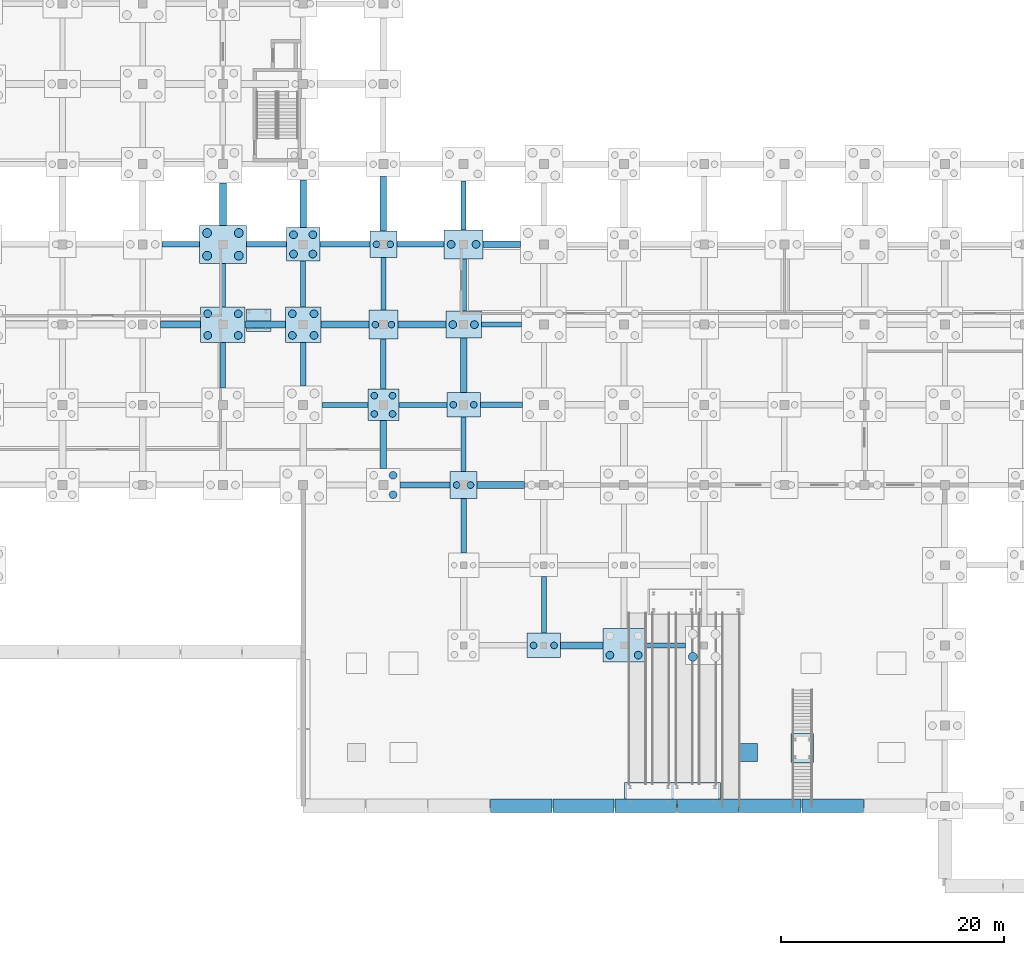
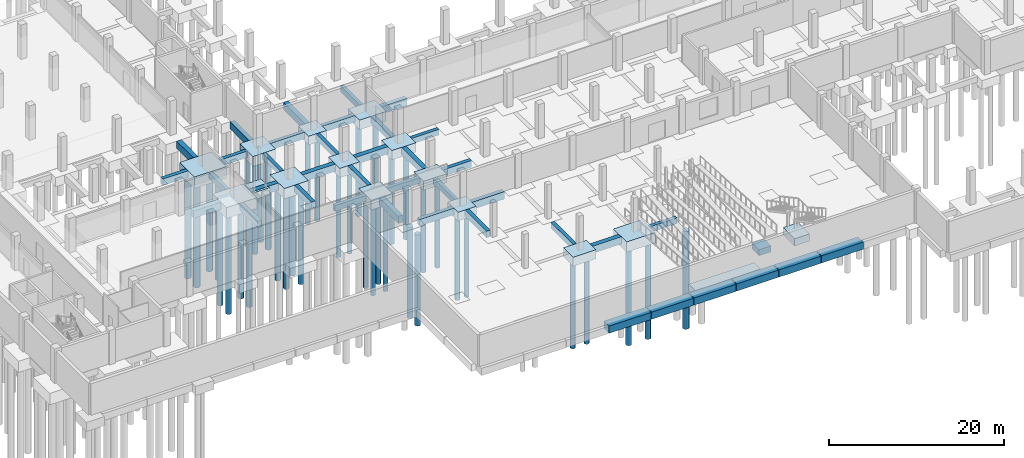
# One storey, part 3 of 38: 56 footings, 39 piles.
"""IFC4 building model written with IfcOpenShell, lengths in metres."""

from ifc_helpers import new_model, si_unit, direction, frame, origin, origin_2d, place, context, subcontext, project, spatial, rectangle, circle, extrude, material, material_profile, profile_set, type_object, element, save


model = new_model("IFC4")

# Units and contexts
model_context = context("Model", 3, precision=1e-05, world=origin(), true_north=direction((0.0, 1.0)))
body_context = subcontext(model_context, "Body", "Model", "MODEL_VIEW")
ifc_project = project(units=[si_unit("LENGTHUNIT", "METRE"), si_unit("AREAUNIT", "SQUARE_METRE"), si_unit("VOLUMEUNIT", "CUBIC_METRE"), si_unit("PLANEANGLEUNIT", "RADIAN"), si_unit("MASSUNIT", "GRAM", prefix="KILO")], contexts=[model_context])

# Site, building, storey
site_placement = place(None, origin())
site = spatial("IfcSite", under=ifc_project, at=site_placement, CompositionType="ELEMENT")
building_placement = place(site_placement, origin())
building = spatial("IfcBuilding", under=site, at=building_placement, Name="Valkovuoma Quantum and Materials Research Institute", CompositionType="ELEMENT")
storey_placement = place(building_placement, frame((0.0, 0.0, -4.800048828125)))
storey = spatial("IfcBuildingStorey", under=building, at=storey_placement, Name="B1", CompositionType="ELEMENT", Elevation=-4.800048828125)

# Footings
ifc_material_1 = material(Name="Concrete C35/45", Category="concrete")
footing_type_1 = type_object("IfcFootingType", Name="Cap-PC-03", PredefinedType="PILE_CAP", material=ifc_material_1)
for number, where, z_axis, x_axis, name in (
    (1, (50.39990234375, 57.60009765625, -1.19970703125), (0.0, 0.0, 1.0), (1.0, 0.0, 0.0), "B1 pile cap 08J"),
    (2, (57.60009765625, 36.0, -1.19970703125), (0.0, 0.0, 1.0), (1.0, 0.0, 0.0), "B1 pile cap 09F"),
):
    element("IfcFooting", number, at=place(storey_placement, frame(where, z_axis=z_axis, x_axis=x_axis)), inside=storey, type_object=footing_type_1, Name=name, PredefinedType="PILE_CAP", context=body_context, shape_type="SweptSolid", body=[
        extrude(rectangle(XDim=2.39990234375, YDim=2.39990234375, at=origin_2d()), origin(), (0.0, 0.0, 1.0), 1.199951171875),
    ])
ifc_material_2 = material(Name="Concrete C35/45", Category="concrete")
footing_type_2 = type_object("IfcFootingType", Name="Cap-PC-04", PredefinedType="PILE_CAP", material=ifc_material_2)
footing_1_placement = place(storey_placement, frame((50.39990234375, 50.39990234375, -1.2998046875), z_axis=(0.0, 0.0, 1.0), x_axis=(1.0, 0.0, 0.0)))
element("IfcFooting", 3, at=footing_1_placement, inside=storey, type_object=footing_type_2, Name="B1 pile cap 08H", PredefinedType="PILE_CAP", context=body_context, shape_type="SweptSolid", body=[
    extrude(rectangle(XDim=2.60009765625, YDim=2.60009765625, at=origin_2d()), origin(), (0.0, 0.0, 1.0), 1.300048828125),
])
ifc_material_3 = material(Name="Concrete C35/45", Category="concrete")
footing_type_3 = type_object("IfcFootingType", Name="Cap-PC-05", PredefinedType="PILE_CAP", material=ifc_material_3)
footing_2_placement = place(storey_placement, frame((50.39990234375, 43.199951171875, -1.35009765625), z_axis=(0.0, 0.0, 1.0), x_axis=(1.0, 0.0, 0.0)))
element("IfcFooting", 4, at=footing_2_placement, inside=storey, type_object=footing_type_3, Name="B1 pile cap 08G", PredefinedType="PILE_CAP", context=body_context, shape_type="SweptSolid", body=[
    extrude(rectangle(XDim=2.800048828125, YDim=2.800048828125, at=origin_2d()), origin(), (0.0, 0.0, 1.0), 1.35009765625),
])
ifc_material_4 = material(Name="Concrete C35/45", Category="concrete")
footing_type_4 = type_object("IfcFootingType", Name="Cap-PC-06", PredefinedType="PILE_CAP", material=ifc_material_4)
footing_3_placement = place(storey_placement, frame((43.199951171875, 57.60009765625, -1.39990234375), z_axis=(0.0, 0.0, 1.0), x_axis=(1.0, 0.0, 0.0)))
element("IfcFooting", 5, at=footing_3_placement, inside=storey, type_object=footing_type_4, Name="B1 pile cap 07J", PredefinedType="PILE_CAP", context=body_context, shape_type="SweptSolid", body=[
    extrude(rectangle(XDim=3.0, YDim=3.0, at=origin_2d()), origin(), (0.0, 0.0, 1.0), 1.39990234375),
])
ifc_material_5 = material(Name="Concrete C35/45", Category="concrete")
footing_type_5 = type_object("IfcFootingType", Name="Cap-PC-07", PredefinedType="PILE_CAP", material=ifc_material_5)
footing_4_placement = place(storey_placement, frame((43.199951171875, 50.39990234375, -1.44970703125), z_axis=(0.0, 0.0, 1.0), x_axis=(1.0, 0.0, 0.0)))
element("IfcFooting", 6, at=footing_4_placement, inside=storey, type_object=footing_type_5, Name="B1 pile cap 07H", PredefinedType="PILE_CAP", context=body_context, shape_type="SweptSolid", body=[
    extrude(rectangle(XDim=3.199951171875, YDim=3.199951171875, at=origin_2d()), origin(), (0.0, 0.0, 1.0), 1.449951171875),
])
ifc_material_6 = material(Name="Concrete C35/45", Category="concrete")
footing_type_6 = type_object("IfcFootingType", Name="Cap-PC-11", PredefinedType="PILE_CAP", material=ifc_material_6)
for number, where, z_axis, x_axis, name in (
    (7, (57.60009765625, 43.199951171875, -1.25), (0.0, 0.0, 1.0), (1.0, 0.0, 0.0), "B1 pile cap 09G"),
    (8, (64.800048828125, 21.60009765625, -1.25), (0.0, 0.0, 1.0), (1.0, 0.0, 0.0), "B1 pile cap 10D"),
):
    element("IfcFooting", number, at=place(storey_placement, frame(where, z_axis=z_axis, x_axis=x_axis)), inside=storey, type_object=footing_type_6, Name=name, PredefinedType="PILE_CAP", context=body_context, shape_type="SweptSolid", body=[
        extrude(rectangle(XDim=3.0, YDim=2.199951171875, at=origin_2d()), origin(), (0.0, 0.0, 1.0), 1.25),
    ])
ifc_material_7 = material(Name="Concrete C35/45", Category="concrete")
footing_type_7 = type_object("IfcFootingType", Name="Cap-PC-12", PredefinedType="PILE_CAP", material=ifc_material_7)
footing_5_placement = place(storey_placement, frame((57.60009765625, 50.39990234375, -1.2998046875), z_axis=(0.0, 0.0, 1.0), x_axis=(1.0, 0.0, 0.0)))
element("IfcFooting", 9, at=footing_5_placement, inside=storey, type_object=footing_type_7, Name="B1 pile cap 09H", PredefinedType="PILE_CAP", context=body_context, shape_type="SweptSolid", body=[
    extrude(rectangle(XDim=3.199951171875, YDim=2.39990234375, at=origin_2d()), origin(), (0.0, 0.0, 1.0), 1.300048828125),
])
ifc_material_8 = material(Name="Concrete C35/45", Category="concrete")
footing_type_8 = type_object("IfcFootingType", Name="Cap-PC-13", PredefinedType="PILE_CAP", material=ifc_material_8)
footing_6_placement = place(storey_placement, frame((57.60009765625, 57.60009765625, -1.35009765625), z_axis=(0.0, 0.0, 1.0), x_axis=(1.0, 0.0, 0.0)))
element("IfcFooting", 10, at=footing_6_placement, inside=storey, type_object=footing_type_8, Name="B1 pile cap 09J", PredefinedType="PILE_CAP", context=body_context, shape_type="SweptSolid", body=[
    extrude(rectangle(XDim=3.5, YDim=2.60009765625, at=origin_2d()), origin(), (0.0, 0.0, 1.0), 1.35009765625),
])
ifc_material_9 = material(Name="Concrete C35/45", Category="concrete")
footing_type_9 = type_object("IfcFootingType", Name="Cap-PC-14", PredefinedType="PILE_CAP", material=ifc_material_9)
footing_7_placement = place(storey_placement, frame((72.0, 21.60009765625, -1.44970703125), z_axis=(0.0, 0.0, 1.0), x_axis=(1.0, 0.0, 0.0)))
element("IfcFooting", 11, at=footing_7_placement, inside=storey, type_object=footing_type_9, Name="B1 pile cap 11D", PredefinedType="PILE_CAP", context=body_context, shape_type="SweptSolid", body=[
    extrude(rectangle(XDim=3.800048828125, YDim=3.0, at=origin_2d()), origin(), (0.0, 0.0, 1.0), 1.449951171875),
])
ifc_material_10 = material(Name="Concrete C35/45", Category="concrete")
footing_type_10 = type_object("IfcFootingType", Name="Cap-PC-15", PredefinedType="PILE_CAP", material=ifc_material_10)
footing_8_placement = place(storey_placement, frame((36.0, 50.39990234375, -1.5), z_axis=(0.0, 0.0, 1.0), x_axis=(1.0, 0.0, 0.0)))
element("IfcFooting", 12, at=footing_8_placement, inside=storey, type_object=footing_type_10, Name="B1 pile cap 06H", PredefinedType="PILE_CAP", context=body_context, shape_type="SweptSolid", body=[
    extrude(rectangle(XDim=4.0, YDim=3.199951171875, at=origin_2d()), origin(), (0.0, 0.0, 1.0), 1.5),
])
ifc_material_11 = material(Name="Concrete C35/45", Category="concrete")
footing_type_11 = type_object("IfcFootingType", Name="Cap-PC-16", PredefinedType="PILE_CAP", material=ifc_material_11)
footing_9_placement = place(storey_placement, frame((36.0, 57.60009765625, -1.60009765625), z_axis=(0.0, 0.0, 1.0), x_axis=(1.0, 0.0, 0.0)))
element("IfcFooting", 13, at=footing_9_placement, inside=storey, type_object=footing_type_11, Name="B1 pile cap 06J", PredefinedType="PILE_CAP", context=body_context, shape_type="SweptSolid", body=[
    extrude(rectangle(XDim=4.199951171875, YDim=3.39990234375, at=origin_2d()), origin(), (0.0, 0.0, 1.0), 1.60009765625),
])
ifc_material_12 = material(Name="Concrete C35/45", Category="concrete")
footing_type_12 = type_object("IfcFootingType", Name="GndBeam-FB-01", PredefinedType="FOOTING_BEAM", material=ifc_material_12)
footing_10_placement = place(storey_placement, frame((36.0, 53.949951171875, -0.7998046875), z_axis=(0.0, 0.0, 1.0), x_axis=(0.0, 1.0, 0.0)))
element("IfcFooting", 14, at=footing_10_placement, inside=storey, type_object=footing_type_12, Name="B1 ground tie beam Y-108", PredefinedType="FOOTING_BEAM", context=body_context, shape_type="SweptSolid", body=[
    extrude(rectangle(XDim=3.89990234375, YDim=0.449951171875, at=origin_2d()), origin(), (0.0, 0.0, 1.0), 0.800048828125),
])
for number, where, z_axis, x_axis, name in (
    (15, (46.949951171875, 43.199951171875, -0.7998046875), (0.0, 0.0, 1.0), (1.0, 0.0, 0.0), "B1 ground tie beam X-126"),
    (16, (43.199951171875, 54.050048828125, -0.7998046875), (0.0, 0.0, 1.0), (0.0, 1.0, 0.0), "B1 ground tie beam Y-129"),
):
    element("IfcFooting", number, at=place(storey_placement, frame(where, z_axis=z_axis, x_axis=x_axis)), inside=storey, type_object=footing_type_12, Name=name, PredefinedType="FOOTING_BEAM", context=body_context, shape_type="SweptSolid", body=[
        extrude(rectangle(XDim=4.10009765625, YDim=0.449951171875, at=origin_2d()), origin(), (0.0, 0.0, 1.0), 0.800048828125),
    ])
footing_11_placement = place(storey_placement, frame((53.949951171875, 43.199951171875, -0.7998046875), z_axis=(0.0, 0.0, 1.0), x_axis=(1.0, 0.0, 0.0)))
element("IfcFooting", 17, at=footing_11_placement, inside=storey, type_object=footing_type_12, Name="B1 ground tie beam X-147", PredefinedType="FOOTING_BEAM", context=body_context, shape_type="SweptSolid", body=[
    extrude(rectangle(XDim=4.300048828125, YDim=0.449951171875, at=origin_2d()), origin(), (0.0, 0.0, 1.0), 0.800048828125),
])
footing_12_placement = place(storey_placement, frame((50.39990234375, 54.050048828125, -0.7998046875), z_axis=(0.0, 0.0, 1.0), x_axis=(0.0, 1.0, 0.0)))
element("IfcFooting", 18, at=footing_12_placement, inside=storey, type_object=footing_type_12, Name="B1 ground tie beam Y-150", PredefinedType="FOOTING_BEAM", context=body_context, shape_type="SweptSolid", body=[
    extrude(rectangle(XDim=4.699951171875, YDim=0.449951171875, at=origin_2d()), origin(), (0.0, 0.0, 1.0), 0.800048828125),
])
footing_13_placement = place(storey_placement, frame((57.60009765625, 39.64990234375, -0.7998046875), z_axis=(0.0, 0.0, 1.0), x_axis=(0.0, 1.0, 0.0)))
element("IfcFooting", 19, at=footing_13_placement, inside=storey, type_object=footing_type_12, Name="B1 ground tie beam Y-165", PredefinedType="FOOTING_BEAM", context=body_context, shape_type="SweptSolid", body=[
    extrude(rectangle(XDim=4.89990234375, YDim=0.449951171875, at=origin_2d()), origin(), (0.0, 0.0, 1.0), 0.800048828125),
])
footing_14_placement = place(storey_placement, frame((61.0, 50.39990234375, -0.7998046875), z_axis=(0.0, 0.0, 1.0), x_axis=(1.0, 0.0, 0.0)))
element("IfcFooting", 20, at=footing_14_placement, inside=storey, type_object=footing_type_12, Name="B1 ground tie beam X-168", PredefinedType="FOOTING_BEAM", context=body_context, shape_type="SweptSolid", body=[
    extrude(rectangle(XDim=3.60009765625, YDim=0.449951171875, at=origin_2d()), origin(), (0.0, 0.0, 1.0), 0.800048828125),
])
footing_15_placement = place(storey_placement, frame((57.60009765625, 61.10009765625, -0.7998046875), z_axis=(0.0, 0.0, 1.0), x_axis=(0.0, 1.0, 0.0)))
element("IfcFooting", 21, at=footing_15_placement, inside=storey, type_object=footing_type_12, Name="B1 ground tie beam Y-171", PredefinedType="FOOTING_BEAM", context=body_context, shape_type="SweptSolid", body=[
    extrude(rectangle(XDim=4.39990234375, YDim=0.449951171875, at=origin_2d()), origin(), (0.0, 0.0, 1.0), 0.800048828125),
])
footing_16_placement = place(storey_placement, frame((64.800048828125, 25.25, -0.7998046875), z_axis=(0.0, 0.0, 1.0), x_axis=(0.0, 1.0, 0.0)))
element("IfcFooting", 22, at=footing_16_placement, inside=storey, type_object=footing_type_12, Name="B1 ground tie beam Y-174", PredefinedType="FOOTING_BEAM", context=body_context, shape_type="SweptSolid", body=[
    extrude(rectangle(XDim=5.10009765625, YDim=0.449951171875, at=origin_2d()), origin(), (0.0, 0.0, 1.0), 0.800048828125),
])
footing_17_placement = place(storey_placement, frame((75.699951171875, 21.60009765625, -0.7998046875), z_axis=(0.0, 0.0, 1.0), x_axis=(1.0, 0.0, 0.0)))
element("IfcFooting", 23, at=footing_17_placement, inside=storey, type_object=footing_type_12, Name="B1 ground tie beam X-186", PredefinedType="FOOTING_BEAM", context=body_context, shape_type="SweptSolid", body=[
    extrude(rectangle(XDim=3.60009765625, YDim=0.449951171875, at=origin_2d()), origin(), (0.0, 0.0, 1.0), 0.800048828125),
])
ifc_material_13 = material(Name="Concrete C35/45", Category="concrete")
footing_type_13 = type_object("IfcFootingType", Name="GndBeam-FB-02", PredefinedType="FOOTING_BEAM", material=ifc_material_13)
footing_18_placement = place(storey_placement, frame((32.22509765625, 57.60009765625, -0.89990234375), z_axis=(0.0, 0.0, 1.0), x_axis=(1.0, 0.0, 0.0)))
element("IfcFooting", 24, at=footing_18_placement, inside=storey, type_object=footing_type_13, Name="B1 ground tie beam X-088", PredefinedType="FOOTING_BEAM", context=body_context, shape_type="SweptSolid", body=[
    extrude(rectangle(XDim=3.35009765625, YDim=0.5, at=origin_2d()), origin(), (0.0, 0.0, 1.0), 0.89990234375),
])
footing_19_placement = place(storey_placement, frame((36.0, 46.75, -0.89990234375), z_axis=(0.0, 0.0, 1.0), x_axis=(0.0, 1.0, 0.0)))
element("IfcFooting", 25, at=footing_19_placement, inside=storey, type_object=footing_type_13, Name="B1 ground tie beam Y-106", PredefinedType="FOOTING_BEAM", context=body_context, shape_type="SweptSolid", body=[
    extrude(rectangle(XDim=4.10009765625, YDim=0.5, at=origin_2d()), origin(), (0.0, 0.0, 1.0), 0.89990234375),
])
footing_20_placement = place(storey_placement, frame((39.89990234375, 57.60009765625, -0.89990234375), z_axis=(0.0, 0.0, 1.0), x_axis=(1.0, 0.0, 0.0)))
element("IfcFooting", 26, at=footing_20_placement, inside=storey, type_object=footing_type_13, Name="B1 ground tie beam X-109", PredefinedType="FOOTING_BEAM", context=body_context, shape_type="SweptSolid", body=[
    extrude(rectangle(XDim=3.60009765625, YDim=0.5, at=origin_2d()), origin(), (0.0, 0.0, 1.0), 0.89990234375),
])
footing_21_placement = place(storey_placement, frame((43.199951171875, 46.85009765625, -0.89990234375), z_axis=(0.0, 0.0, 1.0), x_axis=(0.0, 1.0, 0.0)))
element("IfcFooting", 27, at=footing_21_placement, inside=storey, type_object=footing_type_13, Name="B1 ground tie beam Y-127", PredefinedType="FOOTING_BEAM", context=body_context, shape_type="SweptSolid", body=[
    extrude(rectangle(XDim=3.89990234375, YDim=0.5, at=origin_2d()), origin(), (0.0, 0.0, 1.0), 0.89990234375),
])
for number, where, z_axis, x_axis, name in (
    (28, (46.949951171875, 57.60009765625, -0.89990234375), (0.0, 0.0, 1.0), (1.0, 0.0, 0.0), "B1 ground tie beam X-130"),
    (29, (54.14990234375, 36.0, -0.89990234375), (0.0, 0.0, 1.0), (1.0, 0.0, 0.0), "B1 ground tie beam X-145"),
    (30, (50.39990234375, 46.85009765625, -0.89990234375), (0.0, 0.0, 1.0), (0.0, 1.0, 0.0), "B1 ground tie beam Y-148"),
):
    element("IfcFooting", number, at=place(storey_placement, frame(where, z_axis=z_axis, x_axis=x_axis)), inside=storey, type_object=footing_type_13, Name=name, PredefinedType="FOOTING_BEAM", context=body_context, shape_type="SweptSolid", body=[
        extrude(rectangle(XDim=4.5, YDim=0.5, at=origin_2d()), origin(), (0.0, 0.0, 1.0), 0.89990234375),
    ])
footing_22_placement = place(storey_placement, frame((53.72509765625, 57.60009765625, -0.89990234375), z_axis=(0.0, 0.0, 1.0), x_axis=(1.0, 0.0, 0.0)))
element("IfcFooting", 31, at=footing_22_placement, inside=storey, type_object=footing_type_13, Name="B1 ground tie beam X-151", PredefinedType="FOOTING_BEAM", context=body_context, shape_type="SweptSolid", body=[
    extrude(rectangle(XDim=4.25, YDim=0.5, at=origin_2d()), origin(), (0.0, 0.0, 1.0), 0.89990234375),
])
footing_23_placement = place(storey_placement, frame((57.60009765625, 32.35009765625, -0.89990234375), z_axis=(0.0, 0.0, 1.0), x_axis=(0.0, 1.0, 0.0)))
element("IfcFooting", 32, at=footing_23_placement, inside=storey, type_object=footing_type_13, Name="B1 ground tie beam Y-163", PredefinedType="FOOTING_BEAM", context=body_context, shape_type="SweptSolid", body=[
    extrude(rectangle(XDim=4.89990234375, YDim=0.5, at=origin_2d()), origin(), (0.0, 0.0, 1.0), 0.89990234375),
])
footing_24_placement = place(storey_placement, frame((61.0, 43.199951171875, -0.89990234375), z_axis=(0.0, 0.0, 1.0), x_axis=(1.0, 0.0, 0.0)))
element("IfcFooting", 33, at=footing_24_placement, inside=storey, type_object=footing_type_13, Name="B1 ground tie beam X-166", PredefinedType="FOOTING_BEAM", context=body_context, shape_type="SweptSolid", body=[
    extrude(rectangle(XDim=3.800048828125, YDim=0.5, at=origin_2d()), origin(), (0.0, 0.0, 1.0), 0.89990234375),
])
footing_25_placement = place(storey_placement, frame((57.60009765625, 53.949951171875, -0.89990234375), z_axis=(0.0, 0.0, 1.0), x_axis=(0.0, 1.0, 0.0)))
element("IfcFooting", 34, at=footing_25_placement, inside=storey, type_object=footing_type_13, Name="B1 ground tie beam Y-169", PredefinedType="FOOTING_BEAM", context=body_context, shape_type="SweptSolid", body=[
    extrude(rectangle(XDim=4.699951171875, YDim=0.5, at=origin_2d()), origin(), (0.0, 0.0, 1.0), 0.89990234375),
])
ifc_material_14 = material(Name="Concrete C35/45", Category="concrete")
footing_type_14 = type_object("IfcFootingType", Name="GndBeam-FB-03", PredefinedType="FOOTING_BEAM", material=ifc_material_14)
for number, where, z_axis, x_axis, name in (
    (35, (32.199951171875, 50.39990234375, -1.0), (0.0, 0.0, 1.0), (1.0, 0.0, 0.0), "B1 ground tie beam X-086"),
    (36, (39.800048828125, 50.39990234375, -1.0), (0.0, 0.0, 1.0), (1.0, 0.0, 0.0), "B1 ground tie beam X-107"),
):
    element("IfcFooting", number, at=place(storey_placement, frame(where, z_axis=z_axis, x_axis=x_axis)), inside=storey, type_object=footing_type_14, Name=name, PredefinedType="FOOTING_BEAM", context=body_context, shape_type="SweptSolid", body=[
        extrude(rectangle(XDim=3.60009765625, YDim=0.60009765625, at=origin_2d()), origin(), (0.0, 0.0, 1.0), 1.0),
    ])
footing_26_placement = place(storey_placement, frame((36.0, 61.199951171875, -1.0), z_axis=(0.0, 0.0, 1.0), x_axis=(0.0, 1.0, 0.0)))
element("IfcFooting", 37, at=footing_26_placement, inside=storey, type_object=footing_type_14, Name="B1 ground tie beam Y-110", PredefinedType="FOOTING_BEAM", context=body_context, shape_type="SweptSolid", body=[
    extrude(rectangle(XDim=3.800048828125, YDim=0.60009765625, at=origin_2d()), origin(), (0.0, 0.0, 1.0), 1.0),
])
for number, where, z_axis, x_axis, name in (
    (38, (46.949951171875, 50.39990234375, -1.0), (0.0, 0.0, 1.0), (1.0, 0.0, 0.0), "B1 ground tie beam X-128"),
    (39, (43.199951171875, 61.25, -1.0), (0.0, 0.0, 1.0), (0.0, 1.0, 0.0), "B1 ground tie beam Y-131"),
    (40, (50.39990234375, 39.64990234375, -1.0), (0.0, 0.0, 1.0), (0.0, 1.0, 0.0), "B1 ground tie beam Y-146"),
    (41, (53.85009765625, 50.39990234375, -1.0), (0.0, 0.0, 1.0), (1.0, 0.0, 0.0), "B1 ground tie beam X-149"),
):
    element("IfcFooting", number, at=place(storey_placement, frame(where, z_axis=z_axis, x_axis=x_axis)), inside=storey, type_object=footing_type_14, Name=name, PredefinedType="FOOTING_BEAM", context=body_context, shape_type="SweptSolid", body=[
        extrude(rectangle(XDim=4.300048828125, YDim=0.60009765625, at=origin_2d()), origin(), (0.0, 0.0, 1.0), 1.0),
    ])
footing_27_placement = place(storey_placement, frame((50.39990234375, 61.25, -1.0), z_axis=(0.0, 0.0, 1.0), x_axis=(0.0, 1.0, 0.0)))
element("IfcFooting", 42, at=footing_27_placement, inside=storey, type_object=footing_type_14, Name="B1 ground tie beam Y-152", PredefinedType="FOOTING_BEAM", context=body_context, shape_type="SweptSolid", body=[
    extrude(rectangle(XDim=4.89990234375, YDim=0.60009765625, at=origin_2d()), origin(), (0.0, 0.0, 1.0), 1.0),
])
footing_28_placement = place(storey_placement, frame((60.925048828125, 36.0, -1.0), z_axis=(0.0, 0.0, 1.0), x_axis=(1.0, 0.0, 0.0)))
element("IfcFooting", 43, at=footing_28_placement, inside=storey, type_object=footing_type_14, Name="B1 ground tie beam X-164", PredefinedType="FOOTING_BEAM", context=body_context, shape_type="SweptSolid", body=[
    extrude(rectangle(XDim=4.25, YDim=0.60009765625, at=origin_2d()), origin(), (0.0, 0.0, 1.0), 1.0),
])
footing_29_placement = place(storey_placement, frame((57.60009765625, 46.75, -1.0), z_axis=(0.0, 0.0, 1.0), x_axis=(0.0, 1.0, 0.0)))
element("IfcFooting", 44, at=footing_29_placement, inside=storey, type_object=footing_type_14, Name="B1 ground tie beam Y-167", PredefinedType="FOOTING_BEAM", context=body_context, shape_type="SweptSolid", body=[
    extrude(rectangle(XDim=4.89990234375, YDim=0.60009765625, at=origin_2d()), origin(), (0.0, 0.0, 1.0), 1.0),
])
footing_30_placement = place(storey_placement, frame((61.02490234375, 57.60009765625, -1.0), z_axis=(0.0, 0.0, 1.0), x_axis=(1.0, 0.0, 0.0)))
element("IfcFooting", 45, at=footing_30_placement, inside=storey, type_object=footing_type_14, Name="B1 ground tie beam X-170", PredefinedType="FOOTING_BEAM", context=body_context, shape_type="SweptSolid", body=[
    extrude(rectangle(XDim=3.35009765625, YDim=0.60009765625, at=origin_2d()), origin(), (0.0, 0.0, 1.0), 1.0),
])
footing_31_placement = place(storey_placement, frame((68.199951171875, 21.60009765625, -1.0), z_axis=(0.0, 0.0, 1.0), x_axis=(1.0, 0.0, 0.0)))
element("IfcFooting", 46, at=footing_31_placement, inside=storey, type_object=footing_type_14, Name="B1 ground tie beam X-173", PredefinedType="FOOTING_BEAM", context=body_context, shape_type="SweptSolid", body=[
    extrude(rectangle(XDim=3.800048828125, YDim=0.60009765625, at=origin_2d()), origin(), (0.0, 0.0, 1.0), 1.0),
])
footing_32_placement = place(storey_placement, frame((76.35009765625, 8.25, -0.89990234375), z_axis=(0.0, 0.0, 1.0), x_axis=(1.0, 0.0, 0.0)))
element("IfcFooting", 47, at=footing_32_placement, inside=storey, type_object=footing_type_14, Name="B1 south ramp landing combined strip footing", PredefinedType="FOOTING_BEAM", context=body_context, shape_type="SweptSolid", body=[
    extrude(rectangle(XDim=8.60009765625, YDim=2.10009765625, at=origin_2d()), origin(), (0.0, 0.0, 1.0), 0.89990234375),
])
ifc_material_15 = material(Name="Concrete C35/45", Category="concrete")
footing_type_15 = type_object("IfcFootingType", Name="Pad-PF-01", PredefinedType="PAD_FOOTING", material=ifc_material_15)
footing_33_placement = place(storey_placement, frame((83.199951171875, 12.0, -0.85009765625), z_axis=(0.0, 0.0, 1.0), x_axis=(1.0, 0.0, 0.0)))
element("IfcFooting", 48, at=footing_33_placement, inside=storey, type_object=footing_type_15, Name="B1 pad footing 05", PredefinedType="PAD_FOOTING", context=body_context, shape_type="SweptSolid", body=[
    extrude(rectangle(XDim=1.60009765625, YDim=1.60009765625, at=origin_2d()), origin(), (0.0, 0.0, 1.0), 0.85009765625),
])
ifc_material_16 = material(Name="Concrete C35/45", Category="concrete")
footing_type_16 = type_object("IfcFootingType", Name="Pad-PF-04", PredefinedType="PAD_FOOTING", material=ifc_material_16)
footing_34_placement = place(storey_placement, frame((39.199951171875, 50.800048828125, -1.0), z_axis=(0.0, 0.0, 1.0), x_axis=(1.0, 0.0, 0.0)))
element("IfcFooting", 49, at=footing_34_placement, inside=storey, type_object=footing_type_16, Name="B1 atrium stair combined pad footing", PredefinedType="PAD_FOOTING", context=body_context, shape_type="SweptSolid", body=[
    extrude(rectangle(XDim=2.199951171875, YDim=2.0, at=origin_2d()), origin(), (0.0, 0.0, 1.0), 1.0),
])
for number, where, z_axis, x_axis, name in (
    (50, (62.77197265625, 7.199951171875, -1.0), (0.0, 0.0, 1.0), (1.0, 0.0, 0.0), "B1 retaining wall pad footing 055"),
    (51, (68.364013671875, 7.199951171875, -1.0), (0.0, 0.0, 1.0), (1.0, 0.0, 0.0), "B1 retaining wall pad footing 056"),
    (52, (73.9560546875, 7.199951171875, -1.0), (0.0, 0.0, 1.0), (1.0, 0.0, 0.0), "B1 retaining wall pad footing 057"),
    (53, (79.548095703125, 7.199951171875, -1.0), (0.0, 0.0, 1.0), (1.0, 0.0, 0.0), "B1 retaining wall pad footing 058"),
    (54, (85.139892578125, 7.199951171875, -1.0), (0.0, 0.0, 1.0), (1.0, 0.0, 0.0), "B1 retaining wall pad footing 059"),
    (55, (90.73193359375, 7.199951171875, -1.0), (0.0, 0.0, 1.0), (1.0, 0.0, 0.0), "B1 retaining wall pad footing 060"),
):
    element("IfcFooting", number, at=place(storey_placement, frame(where, z_axis=z_axis, x_axis=x_axis)), inside=storey, type_object=footing_type_16, Name=name, PredefinedType="PAD_FOOTING", context=body_context, shape_type="SweptSolid", body=[
        extrude(rectangle(XDim=5.511962890625, YDim=1.199951171875, at=origin_2d()), origin(), (0.0, 0.0, 1.0), 1.0),
    ])
footing_35_placement = place(storey_placement, frame((88.0, 12.375, -1.0), z_axis=(0.0, 0.0, 1.0), x_axis=(0.0, 1.0, 0.0)))
element("IfcFooting", 56, at=footing_35_placement, inside=storey, type_object=footing_type_16, Name="B1 forecourt stair combined pad footing", PredefinedType="PAD_FOOTING", context=body_context, shape_type="SweptSolid", body=[
    extrude(rectangle(XDim=2.60009765625, YDim=2.0, at=origin_2d()), origin(), (0.0, 0.0, 1.0), 1.0),
])

# Piles
ifc_material_17 = material(Name="Concrete C40/50", Category="concrete")
ifc_material_profile_1 = material_profile(ifc_material_17, circle(Radius=0.300048828125, at=origin_2d()), Name="Concrete C40/50")
ifc_profile_set_1 = profile_set([ifc_material_profile_1], Name="Concrete C40/50")
pile_type_1 = type_object("IfcPileType", Name="Pile-PL-B600", PredefinedType="BORED", material=ifc_profile_set_1)
for number, where, z_axis, x_axis, name in (
    (57, (49.580078125, 42.3798828125, -1.25), (0.0, 0.0, -1.0), (1.0, 0.0, 0.0), "B1 pile 08G-1"),
    (58, (51.219970703125, 42.3798828125, -1.25), (0.0, 0.0, -1.0), (1.0, 0.0, 0.0), "B1 pile 08G-2"),
    (59, (49.580078125, 44.02001953125, -1.25), (0.0, 0.0, -1.0), (1.0, 0.0, 0.0), "B1 pile 08G-3"),
    (60, (51.219970703125, 44.02001953125, -1.25), (0.0, 0.0, -1.0), (1.0, 0.0, 0.0), "B1 pile 08G-4"),
):
    element("IfcPile", number, at=place(storey_placement, frame(where, z_axis=z_axis, x_axis=x_axis)), inside=storey, type_object=pile_type_1, Name=name, PredefinedType="BORED", context=body_context, shape_type="SweptSolid", body=[
        extrude(circle(Radius=0.300048828125, at=origin_2d()), origin(), (0.0, 0.0, 1.0), 12.35009765625),
    ])
for number, where, z_axis, x_axis, name in (
    (61, (49.679931640625, 50.39990234375, -1.199951171875), (0.0, 0.0, -1.0), (1.0, 0.0, 0.0), "B1 pile 08H-1"),
    (62, (51.1201171875, 50.39990234375, -1.199951171875), (0.0, 0.0, -1.0), (1.0, 0.0, 0.0), "B1 pile 08H-2"),
):
    element("IfcPile", number, at=place(storey_placement, frame(where, z_axis=z_axis, x_axis=x_axis)), inside=storey, type_object=pile_type_1, Name=name, PredefinedType="BORED", context=body_context, shape_type="SweptSolid", body=[
        extrude(circle(Radius=0.300048828125, at=origin_2d()), origin(), (0.0, 0.0, 1.0), 12.0),
    ])
for number, where, z_axis, x_axis, name in (
    (63, (49.780029296875, 57.60009765625, -1.099853515625), (0.0, 0.0, -1.0), (1.0, 0.0, 0.0), "B1 pile 08J-1"),
    (64, (51.02001953125, 57.60009765625, -1.099853515625), (0.0, 0.0, -1.0), (1.0, 0.0, 0.0), "B1 pile 08J-2"),
    (65, (56.97998046875, 36.0, -1.099853515625), (0.0, 0.0, -1.0), (1.0, 0.0, 0.0), "B1 pile 09F-1"),
    (66, (58.219970703125, 36.0, -1.099853515625), (0.0, 0.0, -1.0), (1.0, 0.0, 0.0), "B1 pile 09F-2"),
):
    element("IfcPile", number, at=place(storey_placement, frame(where, z_axis=z_axis, x_axis=x_axis)), inside=storey, type_object=pile_type_1, Name=name, PredefinedType="BORED", context=body_context, shape_type="SweptSolid", body=[
        extrude(circle(Radius=0.300048828125, at=origin_2d()), origin(), (0.0, 0.0, 1.0), 11.89990234375),
    ])
for number, where, z_axis, x_axis, name in (
    (67, (56.679931640625, 43.199951171875, -1.14990234375), (0.0, 0.0, -1.0), (1.0, 0.0, 0.0), "B1 pile 09G-1"),
    (68, (58.52001953125, 43.199951171875, -1.14990234375), (0.0, 0.0, -1.0), (1.0, 0.0, 0.0), "B1 pile 09G-2"),
    (69, (63.8798828125, 21.60009765625, -1.14990234375), (0.0, 0.0, -1.0), (1.0, 0.0, 0.0), "B1 pile 10D-1"),
    (70, (65.719970703125, 21.60009765625, -1.14990234375), (0.0, 0.0, -1.0), (1.0, 0.0, 0.0), "B1 pile 10D-2"),
):
    element("IfcPile", number, at=place(storey_placement, frame(where, z_axis=z_axis, x_axis=x_axis)), inside=storey, type_object=pile_type_1, Name=name, PredefinedType="BORED", context=body_context, shape_type="SweptSolid", body=[
        extrude(circle(Radius=0.300048828125, at=origin_2d()), origin(), (0.0, 0.0, 1.0), 12.25),
    ])
ifc_material_18 = material(Name="Concrete C40/50", Category="concrete")
ifc_material_profile_2 = material_profile(ifc_material_18, circle(Radius=0.35009765625, at=origin_2d()), Name="Concrete C40/50")
ifc_profile_set_2 = profile_set([ifc_material_profile_2], Name="Concrete C40/50")
pile_type_2 = type_object("IfcPileType", Name="Pile-PL-B700", PredefinedType="BORED", material=ifc_profile_set_2)
for number, where, z_axis, x_axis, name in (
    (71, (34.6298828125, 49.429931640625, -1.39990234375), (0.0, 0.0, -1.0), (1.0, 0.0, 0.0), "B1 pile 06H-1"),
    (72, (37.3701171875, 49.429931640625, -1.39990234375), (0.0, 0.0, -1.0), (1.0, 0.0, 0.0), "B1 pile 06H-2"),
    (73, (34.6298828125, 51.3701171875, -1.39990234375), (0.0, 0.0, -1.0), (1.0, 0.0, 0.0), "B1 pile 06H-3"),
    (74, (37.3701171875, 51.3701171875, -1.39990234375), (0.0, 0.0, -1.0), (1.0, 0.0, 0.0), "B1 pile 06H-4"),
):
    element("IfcPile", number, at=place(storey_placement, frame(where, z_axis=z_axis, x_axis=x_axis)), inside=storey, type_object=pile_type_2, Name=name, PredefinedType="BORED", context=body_context, shape_type="SweptSolid", body=[
        extrude(circle(Radius=0.35009765625, at=origin_2d()), origin(), (0.0, 0.0, 1.0), 13.800048828125),
    ])
for number, where, z_axis, x_axis, name in (
    (75, (42.22998046875, 49.429931640625, -1.349853515625), (0.0, 0.0, -1.0), (1.0, 0.0, 0.0), "B1 pile 07H-1"),
    (76, (44.169921875, 49.429931640625, -1.349853515625), (0.0, 0.0, -1.0), (1.0, 0.0, 0.0), "B1 pile 07H-2"),
    (77, (42.22998046875, 51.3701171875, -1.349853515625), (0.0, 0.0, -1.0), (1.0, 0.0, 0.0), "B1 pile 07H-3"),
    (78, (44.169921875, 51.3701171875, -1.349853515625), (0.0, 0.0, -1.0), (1.0, 0.0, 0.0), "B1 pile 07H-4"),
):
    element("IfcPile", number, at=place(storey_placement, frame(where, z_axis=z_axis, x_axis=x_axis)), inside=storey, type_object=pile_type_2, Name=name, PredefinedType="BORED", context=body_context, shape_type="SweptSolid", body=[
        extrude(circle(Radius=0.35009765625, at=origin_2d()), origin(), (0.0, 0.0, 1.0), 13.050048828125),
    ])
for number, where, z_axis, x_axis, name in (
    (79, (42.330078125, 56.72998046875, -1.300048828125), (0.0, 0.0, -1.0), (1.0, 0.0, 0.0), "B1 pile 07J-1"),
    (80, (44.070068359375, 56.72998046875, -1.300048828125), (0.0, 0.0, -1.0), (1.0, 0.0, 0.0), "B1 pile 07J-2"),
    (81, (42.330078125, 58.469970703125, -1.300048828125), (0.0, 0.0, -1.0), (1.0, 0.0, 0.0), "B1 pile 07J-3"),
    (82, (44.070068359375, 58.469970703125, -1.300048828125), (0.0, 0.0, -1.0), (1.0, 0.0, 0.0), "B1 pile 07J-4"),
    (83, (51.27001953125, 35.1298828125, -1.300048828125), (0.0, 0.0, -1.0), (1.0, 0.0, 0.0), "B1 pile 08F-2"),
    (84, (51.27001953125, 36.8701171875, -1.300048828125), (0.0, 0.0, -1.0), (1.0, 0.0, 0.0), "B1 pile 08F-4"),
):
    element("IfcPile", number, at=place(storey_placement, frame(where, z_axis=z_axis, x_axis=x_axis)), inside=storey, type_object=pile_type_2, Name=name, PredefinedType="BORED", context=body_context, shape_type="SweptSolid", body=[
        extrude(circle(Radius=0.35009765625, at=origin_2d()), origin(), (0.0, 0.0, 1.0), 12.699951171875),
    ])
for number, where, z_axis, x_axis, name in (
    (85, (56.6298828125, 50.39990234375, -1.199951171875), (0.0, 0.0, -1.0), (1.0, 0.0, 0.0), "B1 pile 09H-1"),
    (86, (58.570068359375, 50.39990234375, -1.199951171875), (0.0, 0.0, -1.0), (1.0, 0.0, 0.0), "B1 pile 09H-2"),
):
    element("IfcPile", number, at=place(storey_placement, frame(where, z_axis=z_axis, x_axis=x_axis)), inside=storey, type_object=pile_type_2, Name=name, PredefinedType="BORED", context=body_context, shape_type="SweptSolid", body=[
        extrude(circle(Radius=0.35009765625, at=origin_2d()), origin(), (0.0, 0.0, 1.0), 12.60009765625),
    ])
for number, where, z_axis, x_axis, name in (
    (87, (56.47998046875, 57.60009765625, -1.25), (0.0, 0.0, -1.0), (1.0, 0.0, 0.0), "B1 pile 09J-1"),
    (88, (58.719970703125, 57.60009765625, -1.25), (0.0, 0.0, -1.0), (1.0, 0.0, 0.0), "B1 pile 09J-2"),
):
    element("IfcPile", number, at=place(storey_placement, frame(where, z_axis=z_axis, x_axis=x_axis)), inside=storey, type_object=pile_type_2, Name=name, PredefinedType="BORED", context=body_context, shape_type="SweptSolid", body=[
        extrude(circle(Radius=0.35009765625, at=origin_2d()), origin(), (0.0, 0.0, 1.0), 12.949951171875),
    ])
for number, where, z_axis, x_axis, name in (
    (89, (70.72998046875, 20.72998046875, -1.349853515625), (0.0, 0.0, -1.0), (1.0, 0.0, 0.0), "B1 pile 11D-1"),
    (90, (73.27001953125, 20.72998046875, -1.349853515625), (0.0, 0.0, -1.0), (1.0, 0.0, 0.0), "B1 pile 11D-2"),
):
    element("IfcPile", number, at=place(storey_placement, frame(where, z_axis=z_axis, x_axis=x_axis)), inside=storey, type_object=pile_type_2, Name=name, PredefinedType="BORED", context=body_context, shape_type="SweptSolid", body=[
        extrude(circle(Radius=0.35009765625, at=origin_2d()), origin(), (0.0, 0.0, 1.0), 13.449951171875),
    ])
ifc_material_19 = material(Name="Concrete C40/50", Category="concrete")
ifc_material_profile_3 = material_profile(ifc_material_19, circle(Radius=0.39990234375, at=origin_2d()), Name="Concrete C40/50")
ifc_profile_set_3 = profile_set([ifc_material_profile_3], Name="Concrete C40/50")
pile_type_3 = type_object("IfcPileType", Name="Pile-PL-B800", PredefinedType="BORED", material=ifc_profile_set_3)
for number, where, z_axis, x_axis, name in (
    (91, (34.580078125, 56.580078125, -1.5), (0.0, 0.0, -1.0), (1.0, 0.0, 0.0), "B1 pile 06J-1"),
    (92, (37.419921875, 56.580078125, -1.5), (0.0, 0.0, -1.0), (1.0, 0.0, 0.0), "B1 pile 06J-2"),
    (93, (34.580078125, 58.6201171875, -1.5), (0.0, 0.0, -1.0), (1.0, 0.0, 0.0), "B1 pile 06J-3"),
    (94, (37.419921875, 58.6201171875, -1.5), (0.0, 0.0, -1.0), (1.0, 0.0, 0.0), "B1 pile 06J-4"),
):
    element("IfcPile", number, at=place(storey_placement, frame(where, z_axis=z_axis, x_axis=x_axis)), inside=storey, type_object=pile_type_3, Name=name, PredefinedType="BORED", context=body_context, shape_type="SweptSolid", body=[
        extrude(circle(Radius=0.39990234375, at=origin_2d()), origin(), (0.0, 0.0, 1.0), 14.300048828125),
    ])
pile_placement = place(storey_placement, frame((78.179931640625, 20.580078125, -1.39990234375), z_axis=(0.0, 0.0, -1.0), x_axis=(1.0, 0.0, 0.0)))
element("IfcPile", 95, at=pile_placement, inside=storey, type_object=pile_type_3, Name="B1 pile 12D-1", PredefinedType="BORED", context=body_context, shape_type="SweptSolid", body=[
    extrude(circle(Radius=0.39990234375, at=origin_2d()), origin(), (0.0, 0.0, 1.0), 13.60009765625),
])

save(model, "model.ifc")
